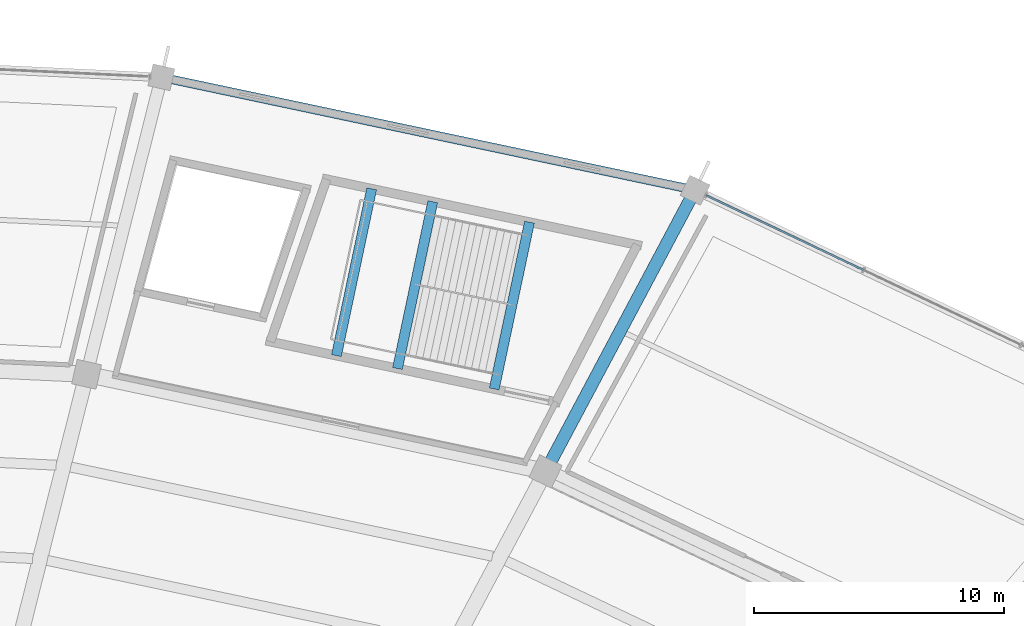
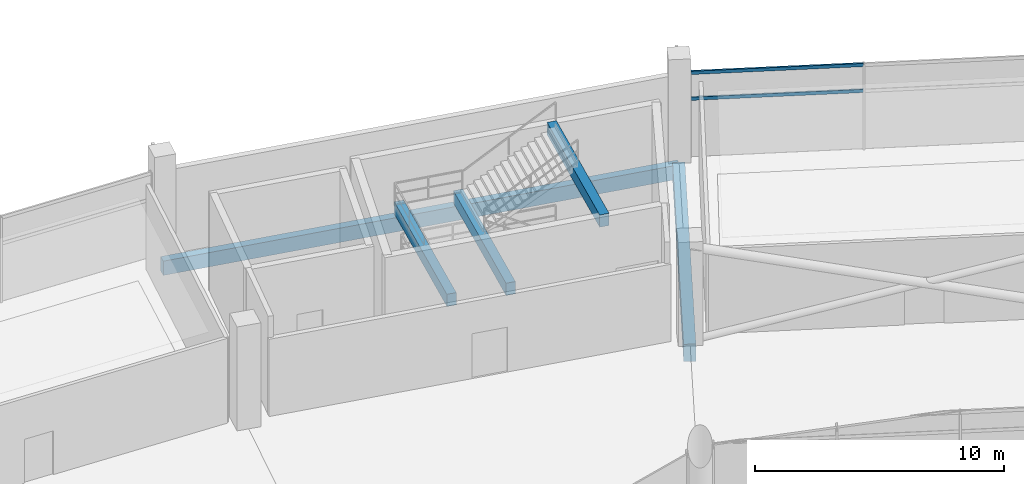
# One storey, part 133 of 184: 5 beams, 2 members, 1 element without a shape of its own.
"""IFC4 building model written with IfcOpenShell, lengths in metres."""

from ifc_helpers import new_model, si_unit, direction, frame, origin, origin_2d, place, context, subcontext, project, spatial, rectangle, hollow_rectangle, extrude, material, layer, layer_set, material_profile, profile_set, type_object, element, aggregate, save


model = new_model("IFC4")

# Units and contexts
model_context = context("Model", 3, precision=1e-05, world=origin(), true_north=direction((0.0, 1.0)))
body_context = subcontext(model_context, "Body", "Model", "MODEL_VIEW")
ifc_project = project(units=[si_unit("LENGTHUNIT", "METRE"), si_unit("AREAUNIT", "SQUARE_METRE"), si_unit("VOLUMEUNIT", "CUBIC_METRE"), si_unit("PLANEANGLEUNIT", "RADIAN"), si_unit("MASSUNIT", "GRAM", prefix="KILO")], contexts=[model_context])

# Site, building, storey
site_placement = place(None, origin())
site = spatial("IfcSite", under=ifc_project, at=site_placement, CompositionType="ELEMENT")
building_placement = place(site_placement, origin())
building = spatial("IfcBuilding", under=site, at=building_placement, Name="Kazemori Nagisa Stadium", CompositionType="ELEMENT")
storey_placement = place(building_placement, frame((0.0, 0.0, 10.5400390625)))
storey = spatial("IfcBuildingStorey", under=building, at=storey_placement, Name="L02", CompositionType="ELEMENT", Elevation=10.5400390625)

# Beams
ifc_material_1 = material(Name="Concrete C40/50 (Fc42)", Category="concrete")
ifc_material_profile_1 = material_profile(ifc_material_1, rectangle(XDim=0.39990234375, YDim=0.60009765625, at=origin_2d()), Name="RC-BM-400x600")
ifc_profile_set_1 = profile_set([ifc_material_profile_1], Name="Concrete C40/50 (Fc42)")
beam_type_1 = type_object("IfcBeamType", Name="Beam_BG-LND400X600", PredefinedType="BEAM", material=ifc_profile_set_1)
beam_1_placement = place(storey_placement, frame((153.88037109375, 175.31884765625, 2.050048828125), z_axis=(0.206963195966, 0.97834872899, 0.0), x_axis=(-0.97834872899, 0.206963195966, 0.0)))
element("IfcBeam", 1, at=beam_1_placement, inside=storey, type_object=beam_type_1, Name="Core stair mid-landing girder ST11-L02-1", PredefinedType="BEAM", context=body_context, shape_type="SweptSolid", body=[
    extrude(rectangle(XDim=0.39990234375, YDim=0.60009765625, at=origin_2d()), origin(), (0.0, 0.0, 1.0), 6.831298828125),
])
beam_2_placement = place(storey_placement, frame((151.4345703125, 175.836181640625, 2.050048828125), z_axis=(0.20695595975, 0.978350259735, 0.0), x_axis=(-0.978350259735, 0.20695595975, 0.0)))
element("IfcBeam", 2, at=beam_2_placement, inside=storey, type_object=beam_type_1, Name="Core stair mid-landing girder ST11-L02-2", PredefinedType="BEAM", context=body_context, shape_type="SweptSolid", body=[
    extrude(rectangle(XDim=0.39990234375, YDim=0.60009765625, at=origin_2d()), origin(), (0.0, 0.0, 1.0), 6.83154296875),
])
beam_3_placement = place(storey_placement, frame((157.754638671875, 174.499267578125, 4.5400390625), z_axis=(0.206963195966, 0.97834872899, 0.0), x_axis=(-0.97834872899, 0.206963195966, 0.0)))
element("IfcBeam", 3, at=beam_3_placement, inside=storey, type_object=beam_type_1, Name="Core stair arrival header girder ST11-L02", PredefinedType="BEAM", context=body_context, shape_type="SweptSolid", body=[
    extrude(rectangle(XDim=0.39990234375, YDim=0.60009765625, at=origin_2d()), origin(), (0.0, 0.0, 1.0), 6.831298828125),
])
ifc_material_profile_2 = material_profile(ifc_material_1, rectangle(XDim=0.5, YDim=0.85009765625, at=origin_2d()), Name="RC-BM-500x850")
ifc_profile_set_2 = profile_set([ifc_material_profile_2], Name="Concrete C40/50 (Fc42)")
beam_type_2 = type_object("IfcBeamType", Name="Beam_BG-RC500X850", PredefinedType="BEAM", material=ifc_profile_set_2)
beam_4_placement = place(storey_placement, frame((159.81201171875, 171.19921875, -0.68505859375), z_axis=(0.469648511848, 0.882853484628, 0.0), x_axis=(-0.882853484628, 0.469648511848, 0.0)))
element("IfcBeam", 4, at=beam_4_placement, inside=storey, type_object=beam_type_2, Name="Radial girder BG-RC500X850 L02 R2-R3-06", PredefinedType="BEAM", context=body_context, shape_type="SweptSolid", body=[
    extrude(rectangle(XDim=0.5, YDim=0.85009765625, at=origin_2d()), origin(), (0.0, 0.0, 1.0), 12.760009765625),
])
ifc_material_profile_3 = material_profile(ifc_material_1, rectangle(XDim=0.35009765625, YDim=0.699951171875, at=origin_2d()), Name="RC-SP-350x700")
ifc_profile_set_3 = profile_set([ifc_material_profile_3], Name="Concrete C40/50 (Fc42)")
beam_type_3 = type_object("IfcBeamType", Name="Beam_BS-RC350X700", PredefinedType="SPANDREL", material=ifc_profile_set_3)
beam_5_placement = place(storey_placement, frame((165.8046875, 182.46435546875, -0.610107421875), z_axis=(-0.97834587432, 0.206976689994, 0.0), x_axis=(-0.206976689994, -0.97834587432, 0.0)))
element("IfcBeam", 5, at=beam_5_placement, inside=storey, type_object=beam_type_3, Name="Ring girder BS-RC350X700 L02 R3-06", PredefinedType="SPANDREL", context=body_context, shape_type="SweptSolid", body=[
    extrude(rectangle(XDim=0.35009765625, YDim=0.699951171875, at=origin_2d()), origin(), (0.0, 0.0, 1.0), 21.85009765625),
])

# Curtain wall, members
ifc_material_2 = material(Name="Anodised aluminium 6063-T5", Category="aluminium")
ifc_layer = layer(ifc_material_2, 0.2099609375, Name="Anodised aluminium 6063-T5", Category="aluminium")
ifc_layer_set = layer_set([ifc_layer], Name="Anodised aluminium 6063-T5")
curtain_wall_type = type_object("IfcCurtainWallType", Name="CW_L02R3_105", PredefinedType="USERDEFINED", material=ifc_layer_set)
curtain_wall_placement = place(storey_placement, origin())
curtain_wall = element("IfcCurtainWall", 6, at=curtain_wall_placement, inside=storey, type_object=curtain_wall_type, Name="Unitised curtain wall CW-L02R3-105 L02", ObjectType="UNITISED CURTAIN WALL", PredefinedType="USERDEFINED")
ifc_material_3 = material(Name="Aluminium 6063-T5 anodised", Category="aluminium")
ifc_material_profile_4 = material_profile(ifc_material_3, hollow_rectangle(XDim=0.080078125, YDim=0.159912109375, WallThickness=0.00390625, at=origin_2d()), Name="ALU-TRAN-80x160x4")
ifc_profile_set_4 = profile_set([ifc_material_profile_4], Name="Aluminium 6063-T5 anodised")
member_type = type_object("IfcMemberType", Name="Transom_T02", PredefinedType="USERDEFINED", material=ifc_profile_set_4)
member_1_placement = place(storey_placement, frame((172.52734375, 179.269775390625, 2.84912109375), z_axis=(-0.903221322461, 0.429175072264, 0.0), x_axis=(-0.429175072264, -0.903221322461, 0.0)))
member_1 = element("IfcMember", 7, at=member_1_placement, type_object=member_type, Name="Curtain wall transom CW-L02R3-105-T3-mid", ObjectType="TRANSOM", PredefinedType="USERDEFINED", context=body_context, shape_type="SweptSolid", body=[
    extrude(hollow_rectangle(XDim=0.080078125, YDim=0.159912109375, WallThickness=0.00390625, at=origin_2d()), origin(), (0.0, 0.0, 1.0), 6.947998046875),
])
member_2_placement = place(storey_placement, frame((172.52734375, 179.269775390625, 4.119873046875), z_axis=(-0.903221322461, 0.429175072264, 0.0), x_axis=(-0.429175072264, -0.903221322461, 0.0)))
member_2 = element("IfcMember", 8, at=member_2_placement, type_object=member_type, Name="Curtain wall transom CW-L02R3-105-T3-head", ObjectType="TRANSOM", PredefinedType="USERDEFINED", context=body_context, shape_type="SweptSolid", body=[
    extrude(hollow_rectangle(XDim=0.080078125, YDim=0.159912109375, WallThickness=0.00390625, at=origin_2d()), origin(), (0.0, 0.0, 1.0), 6.947998046875),
])
aggregate(curtain_wall, [member_1, member_2])

save(model, "model.ifc")
